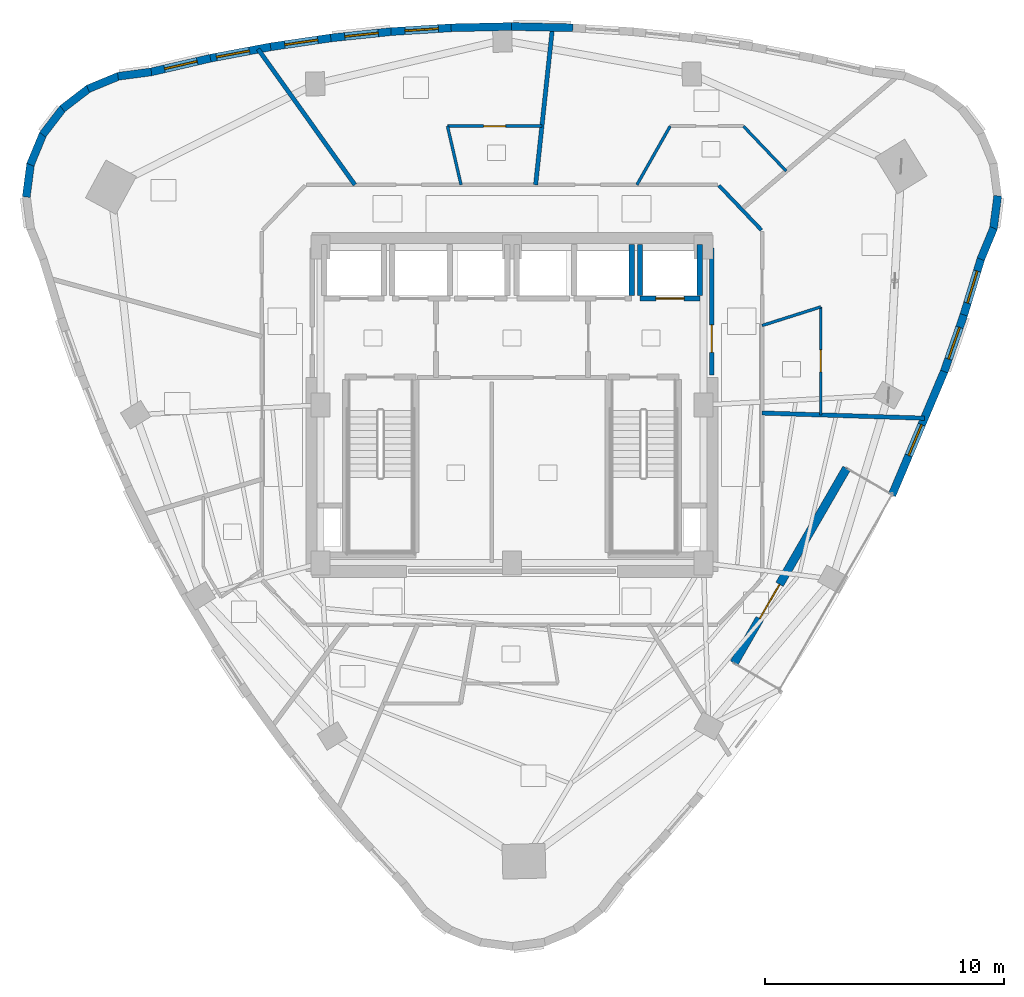
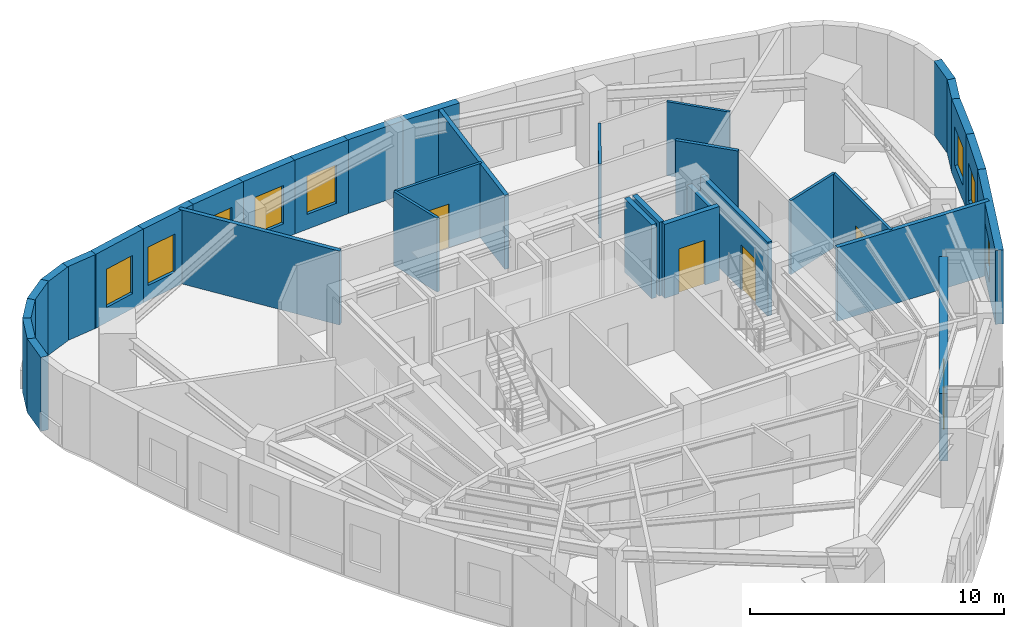
# One storey, part 8 of 12: 34 walls, 8 windows, 5 doors, 13 openings.
"""IFC4 building model written with IfcOpenShell, lengths in metres."""

import ifcopenshell
import ifcopenshell.guid

model = None  # the IFC model being written
_history = None  # IfcOwnerHistory: only IFC2X3 demands one
_inside = {}  # id of a spatial element -> (the spatial element, [elements in it])
_under = {}  # id of a project, library or spatial element -> (it, [spatial elements below it])
_declared = {}  # id of a project -> (the project, [libraries it declares])
_typed = {}  # id of a type object -> (the type object, [elements of that type])
_made_of = {}  # id of a material, layer set ... -> (it, [elements and type objects made of it])


def new_model(schema):
    """Start an empty IFC model of exactly this schema.

    Asked for "IFC4X3", IfcOpenShell would pick the latest addendum, in which some entities
    have other attributes; the version numbers below select the first issue.
    IFC2X3 requires an IfcOwnerHistory on every rooted entity: one is made here for all.
    """
    global model, _history
    if schema == "IFC4X3":
        model = ifcopenshell.file(schema_version=(4, 3, 0, 0))
    else:
        model = ifcopenshell.file(schema=schema)
    _inside.clear()
    _under.clear()
    _declared.clear()
    _typed.clear()
    _made_of.clear()
    _history = None
    if model.schema == "IFC2X3":
        org = make("IfcOrganization", Name="unknown")
        user = make(
            "IfcPersonAndOrganization",
            ThePerson=make("IfcPerson", FamilyName="unknown"),
            TheOrganization=org,
        )
        app = make(
            "IfcApplication",
            ApplicationDeveloper=org,
            Version="unknown",
            ApplicationFullName="unknown",
            ApplicationIdentifier="unknown",
        )
        _history = make(
            "IfcOwnerHistory",
            OwningUser=user,
            OwningApplication=app,
            ChangeAction="ADDED",
            CreationDate=0,
        )
    return model


def make(cls, **values):
    """One entity of the class cls with the attributes given. An attribute that is None is left unset."""
    return model.create_entity(
        cls, **{name: value for name, value in values.items() if value is not None}
    )


def rooted(cls, **values):
    """An entity with a GlobalId (a new one), such as an element, a storey or a relation."""
    return make(cls, GlobalId=ifcopenshell.guid.new(), OwnerHistory=_history, **values)


def si_unit(unit_type, name, prefix=None):
    """IfcSIUnit, for example si_unit("LENGTHUNIT", "METRE", prefix="MILLI")."""
    return make("IfcSIUnit", UnitType=unit_type, Prefix=prefix, Name=name)


def assignment(units):
    """IfcUnitAssignment: the units of a project."""
    return None if units is None else make("IfcUnitAssignment", Units=units)


def point(xyz):
    """IfcCartesianPoint."""
    return None if xyz is None else make("IfcCartesianPoint", Coordinates=xyz)


def direction(xyz):
    """IfcDirection."""
    return None if xyz is None else make("IfcDirection", DirectionRatios=xyz)


def frame(location, z_axis=None, x_axis=None):
    """IfcAxis2Placement3D, a coordinate frame: its origin and axes. An axis left out is left unset."""
    return make(
        "IfcAxis2Placement3D",
        Location=point(location),
        Axis=direction(z_axis),
        RefDirection=direction(x_axis),
    )


def frame_2d(location, x_axis=None):
    """IfcAxis2Placement2D, a coordinate frame in the plane: its origin and x axis."""
    return make(
        "IfcAxis2Placement2D", Location=point(location), RefDirection=direction(x_axis)
    )


def origin():
    """The frame at (0, 0, 0) with its axes left unset."""
    return frame((0.0, 0.0, 0.0))


def place(relative_to, where):
    """IfcLocalPlacement: puts the frame where relative to a parent placement (None: the world)."""
    return make(
        "IfcLocalPlacement", PlacementRelTo=relative_to, RelativePlacement=where
    )


def context(
    kind, dimensions, precision=None, world=None, true_north=None, identifier=None
):
    """IfcGeometricRepresentationContext, for example the 3D "Model" context."""
    return make(
        "IfcGeometricRepresentationContext",
        ContextIdentifier=identifier,
        ContextType=kind,
        CoordinateSpaceDimension=dimensions,
        Precision=precision,
        WorldCoordinateSystem=world,
        TrueNorth=true_north,
    )


def subcontext(parent, identifier, kind, view, scale=None):
    """IfcGeometricRepresentationSubContext, for example "Body" below "Model"."""
    return make(
        "IfcGeometricRepresentationSubContext",
        ContextIdentifier=identifier,
        ContextType=kind,
        ParentContext=parent,
        TargetScale=scale,
        TargetView=view,
    )


def project(units=None, contexts=None):
    """IfcProject with its units and contexts."""
    return rooted(
        "IfcProject",
        Name="project",
        RepresentationContexts=contexts,
        UnitsInContext=assignment(units),
    )


def spatial(cls, under=None, at=None, **own):
    """A site, building, storey or space (cls), placed at a placement, below another one or the project."""
    s = rooted(cls, ObjectPlacement=at, **own)
    if under is not None:
        _under.setdefault(under.id(), (under, []))[1].append(s)
    return s


def profile(cls, at=None, kind="AREA", **sizes):
    """A parametric profile (cls). Its sizes go by their IFC names, for example OverallWidth=200.0."""
    return make(cls, ProfileType=kind, Position=at, **sizes)


def rectangle(**sizes):
    """IfcRectangleProfileDef."""
    return profile("IfcRectangleProfileDef", **sizes)


def extrude(swept, where, along, depth):
    """IfcExtrudedAreaSolid: the profile swept, set in the frame where, extruded along a direction by depth."""
    return make(
        "IfcExtrudedAreaSolid",
        SweptArea=swept,
        Position=where,
        ExtrudedDirection=direction(along),
        Depth=depth,
    )


def shape(context_of_items, identifier, shape_type, items):
    """IfcShapeRepresentation: the items that make up one representation, for example the "Body"."""
    return make(
        "IfcShapeRepresentation",
        ContextOfItems=context_of_items,
        RepresentationIdentifier=identifier,
        RepresentationType=shape_type,
        Items=items,
    )


def material(Name=None, Category=None):
    """IfcMaterial."""
    return make("IfcMaterial", Name=Name, Category=Category)


def layer(
    of_material, thickness, ventilated=None, Name=None, Category=None, Priority=None
):
    """IfcMaterialLayer: one layer of a wall or slab, of a material (None: an air gap)."""
    return make(
        "IfcMaterialLayer",
        Material=of_material,
        LayerThickness=thickness,
        IsVentilated=ventilated,
        Name=Name,
        Category=Category,
        Priority=Priority,
    )


def layer_set(layers, Name=None):
    """IfcMaterialLayerSet."""
    return make("IfcMaterialLayerSet", MaterialLayers=layers, LayerSetName=Name)


def made_of(thing, what):
    """Note that an element or type object is made of a material, layer set ...; save() writes the relation."""
    if what is not None:
        _made_of.setdefault(what.id(), (what, []))[1].append(thing)
    return thing


def type_object(cls, material=None, **own):
    """A type object (cls), such as IfcWallType, which elements share."""
    return made_of(rooted(cls, **own), material)


def element(
    cls,
    number,
    at=None,
    inside=None,
    cuts=None,
    type_object=None,
    material=None,
    context=None,
    identifier="Body",
    shape_type=None,
    held_by="IfcProductDefinitionShape",
    body=None,
    shapes=None,
    **own,
):
    """One element of the class cls, such as IfcWall. Its Tag is "e" and its number.

    at: its placement. inside: the storey or other place that contains it. cuts: it is an
    opening in that element (IfcRelVoidsElement). A single representation is given by context,
    identifier, shape_type and body (its items); several are given by shapes. held_by: the class
    of the entity that holds the representations. save() writes the other relations.
    """
    e = rooted(cls, Tag="e%d" % number, ObjectPlacement=at, **own)
    if body is not None:
        shapes = [shape(context, identifier, shape_type, body)]
    if shapes is not None:
        e.Representation = make(held_by, Representations=shapes)
    if inside is not None:
        _inside.setdefault(inside.id(), (inside, []))[1].append(e)
    if cuts is not None:
        rooted(
            "IfcRelVoidsElement", RelatingBuildingElement=cuts, RelatedOpeningElement=e
        )
    if type_object is not None:
        _typed.setdefault(type_object.id(), (type_object, []))[1].append(e)
    return made_of(e, material)


def fill(opening, filler):
    """IfcRelFillsElement: the door or window that sits in an opening."""
    return rooted(
        "IfcRelFillsElement",
        RelatingOpeningElement=opening,
        RelatedBuildingElement=filler,
    )


def aggregate(whole, parts):
    """IfcRelAggregates: a whole, such as a stair, and the parts it consists of."""
    return rooted("IfcRelAggregates", RelatingObject=whole, RelatedObjects=parts)


def save(model, path):
    """Write the relations noted so far, then the file.

    IfcRelAggregates (storeys below a building ...), IfcRelContainedInSpatialStructure (elements
    in a storey), IfcRelDefinesByType, IfcRelAssociatesMaterial and IfcRelDeclares: one each for
    every whole, place, type object, material and project.
    """
    for whole, parts in _under.values():
        aggregate(whole, parts)
    for where, things in _inside.values():
        rooted(
            "IfcRelContainedInSpatialStructure",
            RelatedElements=things,
            RelatingStructure=where,
        )
    for kind, things in _typed.values():
        rooted("IfcRelDefinesByType", RelatedObjects=things, RelatingType=kind)
    for what, things in _made_of.values():
        rooted("IfcRelAssociatesMaterial", RelatedObjects=things, RelatingMaterial=what)
    for by, libraries in _declared.values():
        rooted("IfcRelDeclares", RelatingContext=by, RelatedDefinitions=libraries)
    model.write(path)


model = new_model("IFC4")

# Units and contexts
model_context = context("Model", 3, precision=1e-05, world=origin(), true_north=direction((0.0, 1.0)))
body_context = subcontext(model_context, "Body", "Model", "MODEL_VIEW")
ifc_project = project(units=[si_unit("LENGTHUNIT", "METRE"), si_unit("AREAUNIT", "SQUARE_METRE"), si_unit("VOLUMEUNIT", "CUBIC_METRE"), si_unit("PLANEANGLEUNIT", "RADIAN"), si_unit("MASSUNIT", "GRAM", prefix="KILO")], contexts=[model_context])

# Site, building, storey
site_placement = place(None, origin())
site = spatial("IfcSite", under=ifc_project, at=site_placement, CompositionType="ELEMENT")
building_placement = place(site_placement, origin())
building = spatial("IfcBuilding", under=site, at=building_placement, Name="Ndelora Gate Hotel", CompositionType="ELEMENT")
storey_placement = place(building_placement, frame((0.0, 0.0, 205.550048828125)))
storey = spatial("IfcBuildingStorey", under=building, at=storey_placement, Name="L51", CompositionType="ELEMENT", Elevation=205.550048828125)

# Walls
ifc_material_1 = material(Name="Acoustic Double-Stud Gypsum Assembly", Category="gypsum")
ifc_layer_1 = layer(ifc_material_1, 0.179931640625)
ifc_layer_set_1 = layer_set([ifc_layer_1], Name="Acoustic Double-Stud Gypsum Assembly")
wall_type_1 = type_object("IfcWallType", Name="WL-ACOUST-180", PredefinedType="PARTITIONING", material=ifc_layer_set_1)
wall_1_placement = place(storey_placement, frame((10.449951171875, -0.335205078125, 0.0), z_axis=(0.0, 0.0, 1.0), x_axis=(0.99948738044, -0.032015251704, 0.0)))
element("IfcWall", 1, at=wall_1_placement, inside=storey, type_object=wall_type_1, Name="L51 Interior Wall IW-3", PredefinedType="PARTITIONING", context=body_context, shape_type="SweptSolid", body=[
    extrude(rectangle(XDim=6.786865234375, YDim=0.179931640625, at=frame_2d((3.3935546875, 0.0))), origin(), (0.0, 0.0, 1.0), 3.550048828125),
])
wall_2_placement = place(storey_placement, frame((0.98681640625, 9.199951171875, 0.0), z_axis=(0.0, 0.0, 1.0), x_axis=(0.106639959808, 0.994297701381, 0.0)))
element("IfcWall", 2, at=wall_2_placement, inside=storey, type_object=wall_type_1, Name="L51 Interior Wall IW-3", PredefinedType="PARTITIONING", context=body_context, shape_type="SweptSolid", body=[
    extrude(rectangle(XDim=6.616455078125, YDim=0.179931640625, at=frame_2d((3.30810546875, 0.0))), origin(), (0.0, 0.0, 1.0), 3.550048828125),
])
wall_3_placement = place(storey_placement, frame((-6.564697265625, 9.199951171875, 0.0), z_axis=(0.0, 0.0, 1.0), x_axis=(-0.580836708582, 0.814020096781, 0.0)))
element("IfcWall", 3, at=wall_3_placement, inside=storey, type_object=wall_type_1, Name="L51 Interior Wall IW-3", PredefinedType="PARTITIONING", context=body_context, shape_type="SweptSolid", body=[
    extrude(rectangle(XDim=6.96142578125, YDim=0.179931640625, at=frame_2d((3.480712890625, 0.0))), origin(), (0.0, 0.0, 1.0), 3.550048828125),
])
ifc_material_2 = material(Name="Clay Brick Masonry", Category="masonry")
ifc_layer_2 = layer(ifc_material_2, 0.330078125)
ifc_layer_set_2 = layer_set([ifc_layer_2], Name="Clay Brick Masonry")
wall_type_2 = type_object("IfcWallType", Name="WL-BRICK-330", PredefinedType="SOLIDWALL", material=ifc_layer_set_2)
for number, where, z_axis, x_axis, name in (
    (4, (-16.464111328125, 13.733642578125, 0.0), (0.0, 0.0, 1.0), (0.991434211429, 0.130607061093, 0.0), "L51 Tower Brick Pier-and-Spandrel Wall TWR-1"),
    (5, (-17.71630859375, 13.2080078125, 0.0), (0.0, 0.0, 1.0), (0.923885753275, 0.382668413767, 0.0), "L51 Tower Brick Pier-and-Spandrel Wall TWR-2"),
):
    element("IfcWall", number, at=place(storey_placement, frame(where, z_axis=z_axis, x_axis=x_axis)), inside=storey, type_object=wall_type_2, Name=name, PredefinedType="SOLIDWALL", context=body_context, shape_type="SweptSolid", body=[
        extrude(rectangle(XDim=1.407470703125, YDim=0.330078125, at=frame_2d((0.70361328125, 0.0))), origin(), (0.0, 0.0, 1.0), 3.550048828125),
    ])
wall_4_placement = place(storey_placement, frame((-18.7900390625, 12.3759765625, 0.0), z_axis=(0.0, 0.0, 1.0), x_axis=(0.793352193746, 0.608762923213, 0.0)))
element("IfcWall", 6, at=wall_4_placement, inside=storey, type_object=wall_type_2, Name="L51 Tower Brick Pier-and-Spandrel Wall TWR-3", PredefinedType="SOLIDWALL", context=body_context, shape_type="SweptSolid", body=[
    extrude(rectangle(XDim=1.4072265625, YDim=0.330078125, at=frame_2d((0.70361328125, 0.0))), origin(), (0.0, 0.0, 1.0), 3.550048828125),
])
for number, where, z_axis, x_axis, name in (
    (7, (-19.61181640625, 11.294189453125, 0.0), (0.0, 0.0, 1.0), (0.608679143886, 0.793416473107, 0.0), "L51 Tower Brick Pier-and-Spandrel Wall TWR-4"),
    (8, (-20.125732421875, 10.036865234375, 0.0), (0.0, 0.0, 1.0), (0.382668413767, 0.923885753275, 0.0), "L51 Tower Brick Pier-and-Spandrel Wall TWR-5"),
    (9, (-20.296630859375, 8.689208984375, 0.0), (0.0, 0.0, 1.0), (0.130607061093, 0.991434211429, 0.0), "L51 Tower Brick Pier-and-Spandrel Wall TWR-6"),
):
    element("IfcWall", number, at=place(storey_placement, frame(where, z_axis=z_axis, x_axis=x_axis)), inside=storey, type_object=wall_type_2, Name=name, PredefinedType="SOLIDWALL", context=body_context, shape_type="SweptSolid", body=[
        extrude(rectangle(XDim=1.407470703125, YDim=0.330078125, at=frame_2d((0.70361328125, 0.0))), origin(), (0.0, 0.0, 1.0), 3.550048828125),
    ])

# Wall, opening, window
wall_5_placement = place(storey_placement, frame((18.075927734375, 1.443603515625, 0.0), z_axis=(0.0, 0.0, 1.0), x_axis=(-0.388886562254, -0.921285646094, 0.0)))
wall_5 = element("IfcWall", 10, at=wall_5_placement, inside=storey, type_object=wall_type_2, Name="L51 Tower Brick Pier-and-Spandrel Wall TWR-36", PredefinedType="SOLIDWALL", context=body_context, shape_type="SweptSolid", body=[
    extrude(rectangle(XDim=5.656494140625, YDim=0.330078125, at=frame_2d((2.828125, 0.0))), origin(), (0.0, 0.0, 1.0), 3.550048828125),
])
opening_1_placement = place(wall_5_placement, frame((2.4599609375, 0.0, 0.719970703125)))
opening_1 = element("IfcOpeningElement", 11, at=opening_1_placement, cuts=wall_5, Name="Opening W02", PredefinedType="OPENING", context=body_context, shape_type="SweptSolid", body=[
    extrude(rectangle(XDim=1.39990234375, YDim=1.8798828125, at=frame_2d((0.699951171875, 0.93994140625))), frame((0.0, 0.175048828125, 0.0), z_axis=(0.0, -1.0, 0.0), x_axis=(1.0, 0.0, 0.0)), (0.0, 0.0, 1.0), 0.35009765625),
])
ifc_material_3 = material(Name="Insulated Low-E Double Glazing in Bronze Aluminium Frame", Category="aluminium")
window_type = type_object("IfcWindowType", Name="WN-DEEP-1400", PartitioningType="SINGLE_PANEL", PredefinedType="WINDOW", material=ifc_material_3)
window_1_placement = place(opening_1_placement, origin())
window_1 = element("IfcWindow", 12, at=window_1_placement, inside=storey, type_object=window_type, Name="L51 Deep-Set Brick-Pier Window W02", OverallHeight=1.8798828125, OverallWidth=1.39990234375, PartitioningType="SINGLE_PANEL", PredefinedType="WINDOW", context=body_context, shape_type="SweptSolid", body=[
    extrude(rectangle(XDim=1.39990234375, YDim=1.8798828125, at=frame_2d((0.699951171875, 0.93994140625))), frame((0.0, 0.030029296875, 0.0), z_axis=(0.0, -1.0, 0.0), x_axis=(1.0, 0.0, 0.0)), (0.0, 0.0, 1.0), 0.06005859375),
])
fill(opening_1, window_1)

wall_6_placement = place(storey_placement, frame((18.8818359375, 3.7666015625, 0.0), z_axis=(0.0, 0.0, 1.0), x_axis=(-0.32834699172, -0.94455717298, 0.0)))
wall_6 = element("IfcWall", 13, at=wall_6_placement, inside=storey, type_object=wall_type_2, Name="L51 Tower Brick Pier-and-Spandrel Wall TWR-37", PredefinedType="SOLIDWALL", context=body_context, shape_type="SweptSolid", body=[
    extrude(rectangle(XDim=2.5087890625, YDim=0.330078125, at=frame_2d((1.25439453125, 0.0))), origin(), (0.0, 0.0, 1.0), 3.550048828125),
])
opening_2_placement = place(wall_6_placement, frame((0.554443359375, 0.0, 0.719970703125)))
opening_2 = element("IfcOpeningElement", 14, at=opening_2_placement, cuts=wall_6, Name="Opening W02", PredefinedType="OPENING", context=body_context, shape_type="SweptSolid", body=[
    extrude(rectangle(XDim=1.39990234375, YDim=1.840087890625, at=frame_2d((0.699951171875, 0.919921875))), frame((0.0, 0.175048828125, 0.0), z_axis=(0.0, -1.0, 0.0), x_axis=(1.0, 0.0, 0.0)), (0.0, 0.0, 1.0), 0.35009765625),
])
window_2_placement = place(opening_2_placement, origin())
window_2 = element("IfcWindow", 15, at=window_2_placement, inside=storey, type_object=window_type, Name="L51 Deep-Set Brick-Pier Window W02", OverallHeight=1.840087890625, OverallWidth=1.39990234375, PartitioningType="SINGLE_PANEL", PredefinedType="WINDOW", context=body_context, shape_type="SweptSolid", body=[
    extrude(rectangle(XDim=1.39990234375, YDim=1.840087890625, at=frame_2d((0.699951171875, 0.919921875))), frame((0.0, 0.030029296875, 0.0), z_axis=(0.0, -1.0, 0.0), x_axis=(1.0, 0.0, 0.0)), (0.0, 0.0, 1.0), 0.06005859375),
])
fill(opening_2, window_2)

wall_7_placement = place(storey_placement, frame((19.60400390625, 6.137939453125, 0.0), z_axis=(0.0, 0.0, 1.0), x_axis=(-0.291764725471, -0.95649011755, 0.0)))
wall_7 = element("IfcWall", 16, at=wall_7_placement, inside=storey, type_object=wall_type_2, Name="L51 Tower Brick Pier-and-Spandrel Wall TWR-38", PredefinedType="SOLIDWALL", context=body_context, shape_type="SweptSolid", body=[
    extrude(rectangle(XDim=2.52880859375, YDim=0.330078125, at=frame_2d((1.264404296875, 0.0))), origin(), (0.0, 0.0, 1.0), 3.550048828125),
])
opening_3_placement = place(wall_7_placement, frame((0.564453125, 0.0, 0.719970703125)))
opening_3 = element("IfcOpeningElement", 17, at=opening_3_placement, cuts=wall_7, Name="Opening W02", PredefinedType="OPENING", context=body_context, shape_type="SweptSolid", body=[
    extrude(rectangle(XDim=1.39990234375, YDim=1.840087890625, at=frame_2d((0.699951171875, 0.919921875))), frame((0.0, 0.175048828125, 0.0), z_axis=(0.0, -1.0, 0.0), x_axis=(1.0, 0.0, 0.0)), (0.0, 0.0, 1.0), 0.35009765625),
])
window_3_placement = place(opening_3_placement, origin())
window_3 = element("IfcWindow", 18, at=window_3_placement, inside=storey, type_object=window_type, Name="L51 Deep-Set Brick-Pier Window W02", OverallHeight=1.840087890625, OverallWidth=1.39990234375, PartitioningType="SINGLE_PANEL", PredefinedType="WINDOW", context=body_context, shape_type="SweptSolid", body=[
    extrude(rectangle(XDim=1.39990234375, YDim=1.840087890625, at=frame_2d((0.699951171875, 0.919921875))), frame((0.0, 0.030029296875, 0.0), z_axis=(0.0, -1.0, 0.0), x_axis=(1.0, 0.0, 0.0)), (0.0, 0.0, 1.0), 0.06005859375),
])
fill(opening_3, window_3)

# Walls
for number, where, z_axis, x_axis, name in (
    (19, (20.125732421875, 7.391357421875, 0.0), (0.0, 0.0, 1.0), (-0.382668413767, -0.923885753275, 0.0), "L51 Tower Brick Pier-and-Spandrel Wall TWR-39"),
    (20, (20.296630859375, 8.739013671875, 0.0), (0.0, 0.0, 1.0), (-0.130607061093, -0.991434211429, 0.0), "L51 Tower Brick Pier-and-Spandrel Wall TWR-40"),
):
    element("IfcWall", number, at=place(storey_placement, frame(where, z_axis=z_axis, x_axis=x_axis)), inside=storey, type_object=wall_type_2, Name=name, PredefinedType="SOLIDWALL", context=body_context, shape_type="SweptSolid", body=[
        extrude(rectangle(XDim=1.407470703125, YDim=0.330078125, at=frame_2d((0.70361328125, 0.0))), origin(), (0.0, 0.0, 1.0), 3.550048828125),
    ])
for number, where, z_axis, x_axis, name in (
    (21, (-0.02490234375, 15.814697265625, 0.0), (0.0, 0.0, 1.0), (0.999780904987, -0.02093184232, 0.0), "L51 Tower Brick Pier-and-Spandrel Wall TWR-52"),
    (22, (-2.54052734375, 15.760986328125, 0.0), (0.0, 0.0, 1.0), (0.999780904987, 0.02093184232, 0.0), "L51 Tower Brick Pier-and-Spandrel Wall TWR-53"),
):
    element("IfcWall", number, at=place(storey_placement, frame(where, z_axis=z_axis, x_axis=x_axis)), inside=storey, type_object=wall_type_2, Name=name, PredefinedType="SOLIDWALL", context=body_context, shape_type="SweptSolid", body=[
        extrude(rectangle(XDim=2.56591796875, YDim=0.330078125, at=frame_2d((1.282958984375, 0.0))), origin(), (0.0, 0.0, 1.0), 3.550048828125),
    ])

# Wall, opening, window
wall_8_placement = place(storey_placement, frame((-5.05615234375, 15.601318359375, 0.0), z_axis=(0.0, 0.0, 1.0), x_axis=(0.998021787146, 0.062869009715, 0.0)))
wall_8 = element("IfcWall", 23, at=wall_8_placement, inside=storey, type_object=wall_type_2, Name="L51 Tower Brick Pier-and-Spandrel Wall TWR-54", PredefinedType="SOLIDWALL", context=body_context, shape_type="SweptSolid", body=[
    extrude(rectangle(XDim=2.57080078125, YDim=0.330078125, at=frame_2d((1.285400390625, 0.0))), origin(), (0.0, 0.0, 1.0), 3.550048828125),
])
opening_4_placement = place(wall_8_placement, frame((0.585205078125, 0.0, 0.719970703125)))
opening_4 = element("IfcOpeningElement", 24, at=opening_4_placement, cuts=wall_8, Name="Opening W02", PredefinedType="OPENING", context=body_context, shape_type="SweptSolid", body=[
    extrude(rectangle(XDim=1.39990234375, YDim=1.840087890625, at=frame_2d((0.699951171875, 0.919921875))), frame((0.0, 0.175048828125, 0.0), z_axis=(0.0, -1.0, 0.0), x_axis=(1.0, 0.0, 0.0)), (0.0, 0.0, 1.0), 0.35009765625),
])
window_4_placement = place(opening_4_placement, origin())
window_4 = element("IfcWindow", 25, at=window_4_placement, inside=storey, type_object=window_type, Name="L51 Deep-Set Brick-Pier Window W02", OverallHeight=1.840087890625, OverallWidth=1.39990234375, PartitioningType="SINGLE_PANEL", PredefinedType="WINDOW", context=body_context, shape_type="SweptSolid", body=[
    extrude(rectangle(XDim=1.39990234375, YDim=1.840087890625, at=frame_2d((0.699951171875, 0.919921875))), frame((0.0, 0.030029296875, 0.0), z_axis=(0.0, -1.0, 0.0), x_axis=(1.0, 0.0, 0.0)), (0.0, 0.0, 1.0), 0.06005859375),
])
fill(opening_4, window_4)

wall_9_placement = place(storey_placement, frame((-7.571533203125, 15.33642578125, 0.0), z_axis=(0.0, 0.0, 1.0), x_axis=(0.994536008198, 0.104394101355, 0.0)))
wall_9 = element("IfcWall", 26, at=wall_9_placement, inside=storey, type_object=wall_type_2, Name="L51 Tower Brick Pier-and-Spandrel Wall TWR-55", PredefinedType="SOLIDWALL", context=body_context, shape_type="SweptSolid", body=[
    extrude(rectangle(XDim=2.57958984375, YDim=0.330078125, at=frame_2d((1.289794921875, 0.0))), origin(), (0.0, 0.0, 1.0), 3.550048828125),
])
opening_5_placement = place(wall_9_placement, frame((0.589599609375, 0.0, 0.719970703125)))
opening_5 = element("IfcOpeningElement", 27, at=opening_5_placement, cuts=wall_9, Name="Opening W02", PredefinedType="OPENING", context=body_context, shape_type="SweptSolid", body=[
    extrude(rectangle(XDim=1.39990234375, YDim=1.840087890625, at=frame_2d((0.699951171875, 0.919921875))), frame((0.0, 0.175048828125, 0.0), z_axis=(0.0, -1.0, 0.0), x_axis=(1.0, 0.0, 0.0)), (0.0, 0.0, 1.0), 0.35009765625),
])
window_5_placement = place(opening_5_placement, origin())
window_5 = element("IfcWindow", 28, at=window_5_placement, inside=storey, type_object=window_type, Name="L51 Deep-Set Brick-Pier Window W02", OverallHeight=1.840087890625, OverallWidth=1.39990234375, PartitioningType="SINGLE_PANEL", PredefinedType="WINDOW", context=body_context, shape_type="SweptSolid", body=[
    extrude(rectangle(XDim=1.39990234375, YDim=1.840087890625, at=frame_2d((0.699951171875, 0.919921875))), frame((0.0, 0.030029296875, 0.0), z_axis=(0.0, -1.0, 0.0), x_axis=(1.0, 0.0, 0.0)), (0.0, 0.0, 1.0), 0.06005859375),
])
fill(opening_5, window_5)

wall_10_placement = place(storey_placement, frame((-10.0869140625, 14.966064453125, 0.0), z_axis=(0.0, 0.0, 1.0), x_axis=(0.989386229934, 0.145309628097, 0.0)))
wall_10 = element("IfcWall", 29, at=wall_10_placement, inside=storey, type_object=wall_type_2, Name="L51 Tower Brick Pier-and-Spandrel Wall TWR-56", PredefinedType="SOLIDWALL", context=body_context, shape_type="SweptSolid", body=[
    extrude(rectangle(XDim=2.592529296875, YDim=0.330078125, at=frame_2d((1.29638671875, 0.0))), origin(), (0.0, 0.0, 1.0), 3.550048828125),
])
opening_6_placement = place(wall_10_placement, frame((0.59619140625, 0.0, 0.719970703125)))
opening_6 = element("IfcOpeningElement", 30, at=opening_6_placement, cuts=wall_10, Name="Opening W02", PredefinedType="OPENING", context=body_context, shape_type="SweptSolid", body=[
    extrude(rectangle(XDim=1.39990234375, YDim=1.840087890625, at=frame_2d((0.699951171875, 0.919921875))), frame((0.0, 0.175048828125, 0.0), z_axis=(0.0, -1.0, 0.0), x_axis=(1.0, 0.0, 0.0)), (0.0, 0.0, 1.0), 0.35009765625),
])
window_6_placement = place(opening_6_placement, origin())
window_6 = element("IfcWindow", 31, at=window_6_placement, inside=storey, type_object=window_type, Name="L51 Deep-Set Brick-Pier Window W02", OverallHeight=1.840087890625, OverallWidth=1.39990234375, PartitioningType="SINGLE_PANEL", PredefinedType="WINDOW", context=body_context, shape_type="SweptSolid", body=[
    extrude(rectangle(XDim=1.39990234375, YDim=1.840087890625, at=frame_2d((0.699951171875, 0.919921875))), frame((0.0, 0.030029296875, 0.0), z_axis=(0.0, -1.0, 0.0), x_axis=(1.0, 0.0, 0.0)), (0.0, 0.0, 1.0), 0.06005859375),
])
fill(opening_6, window_6)

wall_11_placement = place(storey_placement, frame((-12.602294921875, 14.489990234375, 0.0), z_axis=(0.0, 0.0, 1.0), x_axis=(0.982628840182, 0.185581686713, 0.0)))
wall_11 = element("IfcWall", 32, at=wall_11_placement, inside=storey, type_object=wall_type_2, Name="L51 Tower Brick Pier-and-Spandrel Wall TWR-57", PredefinedType="SOLIDWALL", context=body_context, shape_type="SweptSolid", body=[
    extrude(rectangle(XDim=2.610107421875, YDim=0.330078125, at=frame_2d((1.30517578125, 0.0))), origin(), (0.0, 0.0, 1.0), 3.550048828125),
])
opening_7_placement = place(wall_11_placement, frame((0.260009765625, 0.0, 0.719970703125)))
opening_7 = element("IfcOpeningElement", 33, at=opening_7_placement, cuts=wall_11, Name="Opening W02", PredefinedType="OPENING", context=body_context, shape_type="SweptSolid", body=[
    extrude(rectangle(XDim=1.39990234375, YDim=1.840087890625, at=frame_2d((0.699951171875, 0.919921875))), frame((0.0, 0.175048828125, 0.0), z_axis=(0.0, -1.0, 0.0), x_axis=(1.0, 0.0, 0.0)), (0.0, 0.0, 1.0), 0.35009765625),
])
window_7_placement = place(opening_7_placement, origin())
window_7 = element("IfcWindow", 34, at=window_7_placement, inside=storey, type_object=window_type, Name="L51 Deep-Set Brick-Pier Window W02", OverallHeight=1.840087890625, OverallWidth=1.39990234375, PartitioningType="SINGLE_PANEL", PredefinedType="WINDOW", context=body_context, shape_type="SweptSolid", body=[
    extrude(rectangle(XDim=1.39990234375, YDim=1.840087890625, at=frame_2d((0.699951171875, 0.919921875))), frame((0.0, 0.030029296875, 0.0), z_axis=(0.0, -1.0, 0.0), x_axis=(1.0, 0.0, 0.0)), (0.0, 0.0, 1.0), 0.06005859375),
])
fill(opening_7, window_7)

wall_12_placement = place(storey_placement, frame((-15.11767578125, 13.908447265625, 0.0), z_axis=(0.0, 0.0, 1.0), x_axis=(0.974386504753, 0.224879833145, 0.0)))
wall_12 = element("IfcWall", 35, at=wall_12_placement, inside=storey, type_object=wall_type_2, Name="L51 Tower Brick Pier-and-Spandrel Wall TWR-58", PredefinedType="SOLIDWALL", context=body_context, shape_type="SweptSolid", body=[
    extrude(rectangle(XDim=2.631591796875, YDim=0.330078125, at=frame_2d((1.31591796875, 0.0))), origin(), (0.0, 0.0, 1.0), 3.550048828125),
])
opening_8_placement = place(wall_12_placement, frame((0.61572265625, 0.0, 0.719970703125)))
opening_8 = element("IfcOpeningElement", 36, at=opening_8_placement, cuts=wall_12, Name="Opening W02", PredefinedType="OPENING", context=body_context, shape_type="SweptSolid", body=[
    extrude(rectangle(XDim=1.39990234375, YDim=1.840087890625, at=frame_2d((0.699951171875, 0.919921875))), frame((0.0, 0.175048828125, 0.0), z_axis=(0.0, -1.0, 0.0), x_axis=(1.0, 0.0, 0.0)), (0.0, 0.0, 1.0), 0.35009765625),
])
window_8_placement = place(opening_8_placement, origin())
window_8 = element("IfcWindow", 37, at=window_8_placement, inside=storey, type_object=window_type, Name="L51 Deep-Set Brick-Pier Window W02", OverallHeight=1.840087890625, OverallWidth=1.39990234375, PartitioningType="SINGLE_PANEL", PredefinedType="WINDOW", context=body_context, shape_type="SweptSolid", body=[
    extrude(rectangle(XDim=1.39990234375, YDim=1.840087890625, at=frame_2d((0.699951171875, 0.919921875))), frame((0.0, 0.030029296875, 0.0), z_axis=(0.0, -1.0, 0.0), x_axis=(1.0, 0.0, 0.0)), (0.0, 0.0, 1.0), 0.06005859375),
])
fill(opening_8, window_8)

# Wall, opening, door
ifc_layer_3 = layer(ifc_material_2, 0.360107421875)
ifc_layer_set_3 = layer_set([ifc_layer_3], Name="Clay Brick Masonry")
wall_type_3 = type_object("IfcWallType", Name="WL-BRICK-360", PredefinedType="SOLIDWALL", material=ifc_layer_set_3)
wall_13_placement = place(storey_placement, frame((13.980712890625, -2.64453125, 0.0), z_axis=(0.0, 0.0, 1.0), x_axis=(-0.500004972392, -0.866022532953, 0.0)))
wall_13 = element("IfcWall", 38, at=wall_13_placement, inside=storey, type_object=wall_type_3, Name="L51 Sky-Garden Loggia Rear Brick Wall", PredefinedType="SOLIDWALL", context=body_context, shape_type="SweptSolid", body=[
    extrude(rectangle(XDim=9.400390625, YDim=0.360107421875, at=frame_2d((4.7001953125, 0.0))), origin(), (0.0, 0.0, 1.0), 3.22998046875),
])
opening_9_placement = place(wall_13_placement, frame((5.60009765625, 0.0, 0.0)))
opening_9 = element("IfcOpeningElement", 39, at=opening_9_placement, cuts=wall_13, Name="Opening TD1", PredefinedType="OPENING", context=body_context, shape_type="SweptSolid", body=[
    extrude(rectangle(XDim=1.64990234375, YDim=2.25, at=frame_2d((0.824951171875, 1.125))), frame((0.0, 0.18994140625, 0.0), z_axis=(0.0, -1.0, 0.0), x_axis=(1.0, 0.0, 0.0)), (0.0, 0.0, 1.0), 0.380126953125),
])
ifc_material_4 = material(Name="Architectural Bronze Glazed Door", Category="metal")
door_type_1 = type_object("IfcDoorType", Name="DR-TER-1650", OperationType="DOUBLE_DOOR_SINGLE_SWING", PredefinedType="DOOR", material=ifc_material_4)
door_1_placement = place(opening_9_placement, origin())
door_1 = element("IfcDoor", 40, at=door_1_placement, inside=storey, type_object=door_type_1, Name="L51 Sky-Garden Terrace Double Door TD1", OperationType="DOUBLE_DOOR_SINGLE_SWING", OverallHeight=2.25, OverallWidth=1.64990234375, PredefinedType="DOOR", context=body_context, shape_type="SweptSolid", body=[
    extrude(rectangle(XDim=1.64990234375, YDim=2.25, at=frame_2d((0.824951171875, 1.125))), frame((0.0, 0.02490234375, 0.0), z_axis=(0.0, -1.0, 0.0), x_axis=(1.0, 0.0, 0.0)), (0.0, 0.0, 1.0), 0.050048828125),
])
fill(opening_9, door_1)

ifc_material_5 = material(Name="Concrete C40/50", Category="concrete")
ifc_layer_4 = layer(ifc_material_5, 0.199951171875)
ifc_layer_set_4 = layer_set([ifc_layer_4], Name="Concrete C40/50")
wall_type_4 = type_object("IfcWallType", Name="WL-FIRE-200", PredefinedType="PARTITIONING", material=ifc_layer_set_4)
wall_14_placement = place(storey_placement, frame((8.35009765625, 1.25, 0.0), z_axis=(0.0, 0.0, 1.0), x_axis=(0.0, 1.0, 0.0)))
wall_14 = element("IfcWall", 41, at=wall_14_placement, inside=storey, type_object=wall_type_4, Name="L51 Interior Wall IW-2", PredefinedType="PARTITIONING", context=body_context, shape_type="SweptSolid", body=[
    extrude(rectangle(XDim=5.300048828125, YDim=0.199951171875, at=frame_2d((2.64990234375, 0.0))), origin(), (0.0, 0.0, 1.0), 3.550048828125),
])
opening_10_placement = place(wall_14_placement, frame((0.949951171875, 0.0, 0.0)))
opening_10 = element("IfcOpeningElement", 42, at=opening_10_placement, cuts=wall_14, Name="Opening FD1", PredefinedType="OPENING", context=body_context, shape_type="SweptSolid", body=[
    extrude(rectangle(XDim=1.14990234375, YDim=2.14990234375, at=frame_2d((0.574951171875, 1.074951171875))), frame((0.0, 0.10986328125, 0.0), z_axis=(0.0, -1.0, 0.0), x_axis=(1.0, 0.0, 0.0)), (0.0, 0.0, 1.0), 0.219970703125),
])
ifc_material_6 = material(Name="Fire-Rated Timber-Veneer Steel Core", Category="steel")
door_type_2 = type_object("IfcDoorType", Name="DR-FD60", OperationType="SINGLE_SWING_LEFT", PredefinedType="DOOR", material=ifc_material_6)
door_2_placement = place(opening_10_placement, origin())
door_2 = element("IfcDoor", 43, at=door_2_placement, inside=storey, type_object=door_type_2, Name="L51 Firefighting Lobby East Corridor Door", OperationType="SINGLE_SWING_RIGHT", OverallHeight=2.14990234375, OverallWidth=1.14990234375, PredefinedType="DOOR", context=body_context, shape_type="SweptSolid", body=[
    extrude(rectangle(XDim=1.14990234375, YDim=2.14990234375, at=frame_2d((0.574951171875, 1.074951171875))), frame((0.0, 0.02490234375, 0.0), z_axis=(0.0, -1.0, 0.0), x_axis=(1.0, 0.0, 0.0)), (0.0, 0.0, 1.0), 0.050048828125),
])
fill(opening_10, door_2)

# Wall
ifc_material_7 = material(Name="Fire-Rated Gypsum Stud Partition", Category="gypsum")
ifc_layer_5 = layer(ifc_material_7, 0.14990234375)
ifc_layer_set_5 = layer_set([ifc_layer_5], Name="Fire-Rated Gypsum Stud Partition")
wall_type_5 = type_object("IfcWallType", Name="WL-PART-150", PredefinedType="PARTITIONING", material=ifc_layer_set_5)
wall_15_placement = place(storey_placement, frame((8.647705078125, 9.1708984375, 0.0), z_axis=(0.0, 0.0, 1.0), x_axis=(0.689960858356, -0.723846678473, 0.0)))
element("IfcWall", 44, at=wall_15_placement, inside=storey, type_object=wall_type_5, Name="L51 Interior Wall IW-5", PredefinedType="PARTITIONING", context=body_context, shape_type="SweptSolid", body=[
    extrude(rectangle(XDim=2.572021484375, YDim=0.14990234375, at=frame_2d((1.2861328125, 0.0))), origin(), (0.0, 0.0, 1.0), 3.550048828125),
])

# Wall, opening, door
ifc_layer_6 = layer(ifc_material_5, 0.219970703125)
ifc_layer_set_6 = layer_set([ifc_layer_6], Name="Concrete C40/50")
wall_type_6 = type_object("IfcWallType", Name="WL-SHAFT-220", PredefinedType="PARTITIONING", material=ifc_layer_set_6)
wall_16_placement = place(storey_placement, frame((5.35009765625, 4.449951171875, 0.0), z_axis=(0.0, 0.0, 1.0), x_axis=(1.0, 0.0, 0.0)))
wall_16 = element("IfcWall", 45, at=wall_16_placement, inside=storey, type_object=wall_type_6, Name="L51 Interior Wall IW-1", PredefinedType="PARTITIONING", context=body_context, shape_type="SweptSolid", body=[
    extrude(rectangle(XDim=2.5, YDim=0.219970703125, at=frame_2d((1.25, 0.0))), origin(), (0.0, 0.0, 1.0), 3.550048828125),
])
opening_11_placement = place(wall_16_placement, frame((0.659912109375, 0.0, 0.0)))
opening_11 = element("IfcOpeningElement", 46, at=opening_11_placement, cuts=wall_16, Name="Opening LD5", PredefinedType="OPENING", context=body_context, shape_type="SweptSolid", body=[
    extrude(rectangle(XDim=1.179931640625, YDim=2.14990234375, at=frame_2d((0.58984375, 1.074951171875))), frame((0.0, 0.1201171875, 0.0), z_axis=(0.0, -1.0, 0.0), x_axis=(1.0, 0.0, 0.0)), (0.0, 0.0, 1.0), 0.239990234375),
])
ifc_material_8 = material(Name="Firefighting Lift Stainless Sliding Landing Door", Category="metal")
door_type_3 = type_object("IfcDoorType", Name="DR-LD5", OperationType="DOUBLE_DOOR_SLIDING", PredefinedType="DOOR", material=ifc_material_8)
door_3_placement = place(opening_11_placement, origin())
door_3 = element("IfcDoor", 47, at=door_3_placement, inside=storey, type_object=door_type_3, Name="L51 Lift Landing Sliding Door FFL2", OperationType="DOUBLE_DOOR_SLIDING", OverallHeight=2.14990234375, OverallWidth=1.179931640625, PredefinedType="DOOR", context=body_context, shape_type="SweptSolid", body=[
    extrude(rectangle(XDim=1.179931640625, YDim=2.14990234375, at=frame_2d((0.58984375, 1.074951171875))), frame((0.0, 0.02490234375, 0.0), z_axis=(0.0, -1.0, 0.0), x_axis=(1.0, 0.0, 0.0)), (0.0, 0.0, 1.0), 0.050048828125),
])
fill(opening_11, door_3)

# Walls
wall_17_placement = place(storey_placement, frame((5.35009765625, 4.570068359375, 0.0), z_axis=(0.0, 0.0, 1.0), x_axis=(0.0, 1.0, 0.0)))
element("IfcWall", 48, at=wall_17_placement, inside=storey, type_object=wall_type_6, Name="L51 Interior Wall IW-1", PredefinedType="PARTITIONING", context=body_context, shape_type="SweptSolid", body=[
    extrude(rectangle(XDim=2.1298828125, YDim=0.219970703125, at=frame_2d((1.06494140625, 0.0))), origin(), (0.0, 0.0, 1.0), 3.550048828125),
])
wall_18_placement = place(storey_placement, frame((7.85009765625, 4.570068359375, 0.0), z_axis=(0.0, 0.0, 1.0), x_axis=(0.0, 1.0, 0.0)))
element("IfcWall", 49, at=wall_18_placement, inside=storey, type_object=wall_type_6, Name="L51 Interior Wall IW-1", PredefinedType="PARTITIONING", context=body_context, shape_type="SweptSolid", body=[
    extrude(rectangle(XDim=2.1298828125, YDim=0.219970703125, at=frame_2d((1.06494140625, 0.0))), origin(), (0.0, 0.0, 1.0), 3.179931640625),
])
wall_19_placement = place(storey_placement, frame((5.0, 4.570068359375, 0.0), z_axis=(0.0, 0.0, 1.0), x_axis=(0.0, 1.0, 0.0)))
element("IfcWall", 50, at=wall_19_placement, inside=storey, type_object=wall_type_6, Name="L51 Interior Wall IW-1", PredefinedType="PARTITIONING", context=body_context, shape_type="SweptSolid", body=[
    extrude(rectangle(XDim=2.1298828125, YDim=0.219970703125, at=frame_2d((1.06494140625, 0.0))), origin(), (0.0, 0.0, 1.0), 3.550048828125),
])
ifc_material_9 = material(Name="Moisture-Resistant Bathroom Tile Partition", Category="gypsum")
ifc_layer_7 = layer(ifc_material_9, 0.1201171875)
ifc_layer_set_7 = layer_set([ifc_layer_7], Name="Moisture-Resistant Bathroom Tile Partition")
wall_type_7 = type_object("IfcWallType", Name="WL-WET-120", PredefinedType="PARTITIONING", material=ifc_layer_set_7)
wall_20_placement = place(storey_placement, frame((10.449951171875, 3.3193359375, 0.0), z_axis=(0.0, 0.0, 1.0), x_axis=(0.953089043955, 0.302690063088, 0.0)))
element("IfcWall", 51, at=wall_20_placement, inside=storey, type_object=wall_type_7, Name="L51 Interior Wall IW-7", PredefinedType="PARTITIONING", context=body_context, shape_type="SweptSolid", body=[
    extrude(rectangle(XDim=2.570556640625, YDim=0.1201171875, at=frame_2d((1.28515625, 0.0))), origin(), (0.0, 0.0, 1.0), 3.550048828125),
])

# Wall, opening, door
wall_21_placement = place(storey_placement, frame((12.89990234375, 4.097412109375, 0.0), z_axis=(0.0, 0.0, 1.0), x_axis=(0.0, -1.0, 0.0)))
wall_21 = element("IfcWall", 52, at=wall_21_placement, inside=storey, type_object=wall_type_7, Name="L51 Interior Wall IW-7", PredefinedType="PARTITIONING", context=body_context, shape_type="SweptSolid", body=[
    extrude(rectangle(XDim=4.51123046875, YDim=0.1201171875, at=frame_2d((2.255615234375, 0.0))), origin(), (0.0, 0.0, 1.0), 3.550048828125),
])
opening_12_placement = place(wall_21_placement, frame((1.795654296875, 0.0, 0.0)))
opening_12 = element("IfcOpeningElement", 53, at=opening_12_placement, cuts=wall_21, Name="Opening D03", PredefinedType="OPENING", context=body_context, shape_type="SweptSolid", body=[
    extrude(rectangle(XDim=0.919921875, YDim=2.10009765625, at=frame_2d((0.4599609375, 1.050048828125))), frame((0.0, 0.070068359375, 0.0), z_axis=(0.0, -1.0, 0.0), x_axis=(1.0, 0.0, 0.0)), (0.0, 0.0, 1.0), 0.14013671875),
])
ifc_material_10 = material(Name="Moisture-Resistant Hardwood En-Suite Door", Category="wood")
door_type_4 = type_object("IfcDoorType", Name="DR-BATH-920", OperationType="SINGLE_SWING_LEFT", PredefinedType="DOOR", material=ifc_material_10)
door_4_placement = place(opening_12_placement, origin())
door_4 = element("IfcDoor", 54, at=door_4_placement, inside=storey, type_object=door_type_4, Name="L51 En-suite Bathroom 5402 Door", OperationType="SINGLE_SWING_LEFT", OverallHeight=2.10009765625, OverallWidth=0.919921875, PredefinedType="DOOR", context=body_context, shape_type="SweptSolid", body=[
    extrude(rectangle(XDim=0.919921875, YDim=2.10009765625, at=frame_2d((0.4599609375, 1.050048828125))), frame((0.0, 0.02490234375, 0.0), z_axis=(0.0, -1.0, 0.0), x_axis=(1.0, 0.0, 0.0)), (0.0, 0.0, 1.0), 0.050048828125),
])
fill(opening_12, door_4)

# Walls
wall_22_placement = place(storey_placement, frame((5.218994140625, 9.199951171875, 0.0), z_axis=(0.0, 0.0, 1.0), x_axis=(0.493438960936, 0.869780427367, 0.0)))
element("IfcWall", 55, at=wall_22_placement, inside=storey, type_object=wall_type_7, Name="L51 Interior Wall IW-7", PredefinedType="PARTITIONING", context=body_context, shape_type="SweptSolid", body=[
    extrude(rectangle(XDim=2.816650390625, YDim=0.1201171875, at=frame_2d((1.408203125, 0.0))), origin(), (0.0, 0.0, 1.0), 3.550048828125),
])
wall_23_placement = place(storey_placement, frame((11.4580078125, 9.773681640625, 0.0), z_axis=(0.0, 0.0, 1.0), x_axis=(-0.689998460941, 0.723810834334, 0.0)))
element("IfcWall", 56, at=wall_23_placement, inside=storey, type_object=wall_type_7, Name="L51 Interior Wall IW-7", PredefinedType="PARTITIONING", context=body_context, shape_type="SweptSolid", body=[
    extrude(rectangle(XDim=2.592041015625, YDim=0.1201171875, at=frame_2d((1.2958984375, 0.0))), origin(), (0.0, 0.0, 1.0), 3.550048828125),
])
wall_24_placement = place(storey_placement, frame((-2.12890625, 9.199951171875, 0.0), z_axis=(0.0, 0.0, 1.0), x_axis=(-0.225433802515, 0.974258487612, 0.0)))
element("IfcWall", 57, at=wall_24_placement, inside=storey, type_object=wall_type_7, Name="L51 Interior Wall IW-7", PredefinedType="PARTITIONING", context=body_context, shape_type="SweptSolid", body=[
    extrude(rectangle(XDim=2.5146484375, YDim=0.1201171875, at=frame_2d((1.25732421875, 0.0))), origin(), (0.0, 0.0, 1.0), 3.550048828125),
])

# Wall, opening, door
wall_25_placement = place(storey_placement, frame((-2.69580078125, 11.64990234375, 0.0), z_axis=(0.0, 0.0, 1.0), x_axis=(1.0, 0.0, 0.0)))
wall_25 = element("IfcWall", 58, at=wall_25_placement, inside=storey, type_object=wall_type_7, Name="L51 Interior Wall IW-7", PredefinedType="PARTITIONING", context=body_context, shape_type="SweptSolid", body=[
    extrude(rectangle(XDim=3.9453125, YDim=0.1201171875, at=frame_2d((1.97265625, 0.0))), origin(), (0.0, 0.0, 1.0), 3.550048828125),
])
opening_13_placement = place(wall_25_placement, frame((1.5126953125, 0.0, 0.0)))
opening_13 = element("IfcOpeningElement", 59, at=opening_13_placement, cuts=wall_25, Name="Opening D03", PredefinedType="OPENING", context=body_context, shape_type="SweptSolid", body=[
    extrude(rectangle(XDim=0.919921875, YDim=2.10009765625, at=frame_2d((0.4599609375, 1.050048828125))), frame((0.0, 0.070068359375, 0.0), z_axis=(0.0, -1.0, 0.0), x_axis=(1.0, 0.0, 0.0)), (0.0, 0.0, 1.0), 0.14013671875),
])
door_5_placement = place(opening_13_placement, origin())
door_5 = element("IfcDoor", 60, at=door_5_placement, inside=storey, type_object=door_type_4, Name="L51 En-suite Bathroom 5404 Door", OperationType="SINGLE_SWING_LEFT", OverallHeight=2.10009765625, OverallWidth=0.919921875, PredefinedType="DOOR", context=body_context, shape_type="SweptSolid", body=[
    extrude(rectangle(XDim=0.919921875, YDim=2.10009765625, at=frame_2d((0.4599609375, 1.050048828125))), frame((0.0, 0.02490234375, 0.0), z_axis=(0.0, -1.0, 0.0), x_axis=(1.0, 0.0, 0.0)), (0.0, 0.0, 1.0), 0.050048828125),
])
fill(opening_13, door_5)

save(model, "model.ifc")
